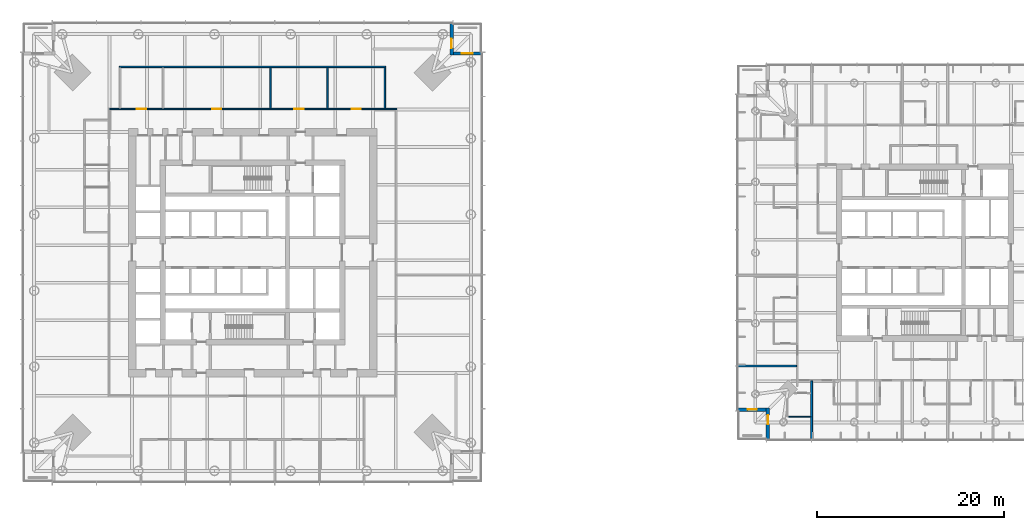
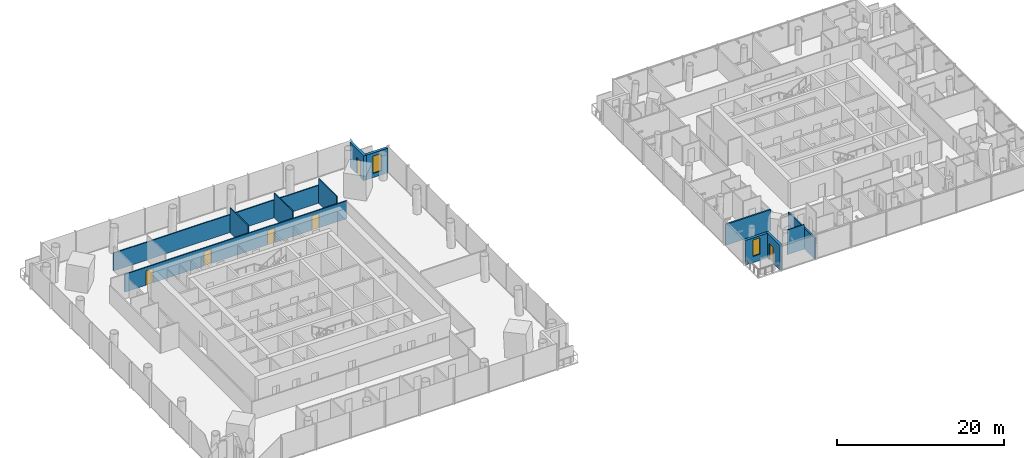
# One storey, part 13 of 22: 12 walls, 6 doors, 2 windows, 8 openings.
"""IFC4 building model written with IfcOpenShell, lengths in metres."""

from ifc_helpers import new_model, si_unit, direction, frame, frame_2d, origin, place, context, subcontext, project, spatial, rectangle, extrude, material, layer, layer_set, type_object, element, fill, save


model = new_model("IFC4")

# Units and contexts
model_context = context("Model", 3, precision=1e-05, world=origin(), true_north=direction((0.0, 1.0)))
body_context = subcontext(model_context, "Body", "Model", "MODEL_VIEW")
ifc_project = project(units=[si_unit("LENGTHUNIT", "METRE"), si_unit("AREAUNIT", "SQUARE_METRE"), si_unit("VOLUMEUNIT", "CUBIC_METRE"), si_unit("PLANEANGLEUNIT", "RADIAN"), si_unit("MASSUNIT", "GRAM", prefix="KILO")], contexts=[model_context])

# Site, building, storey
site_placement = place(None, origin())
site = spatial("IfcSite", under=ifc_project, at=site_placement, CompositionType="ELEMENT")
building_placement = place(site_placement, origin())
building = spatial("IfcBuilding", under=site, at=building_placement, Name="Ostroluk Exchange", CompositionType="ELEMENT")
storey_placement = place(building_placement, frame((0.0, 0.0, 40.0)))
storey = spatial("IfcBuildingStorey", under=building, at=storey_placement, Name="L09", CompositionType="ELEMENT", Elevation=40.0)

# Wall, opening, door
ifc_material_1 = material(Name="Limestone", Category="masonry")
ifc_layer_1 = layer(ifc_material_1, 0.35009765625)
ifc_layer_set_1 = layer_set([ifc_layer_1], Name="Limestone facade wall 350")
wall_type_1 = type_object("IfcWallType", Name="Limestone facade wall 350", PredefinedType="SOLIDWALL", material=ifc_layer_set_1)
wall_1_placement = place(storey_placement, frame((66.324951171875, 70.5, 0.0), z_axis=(0.0, 0.0, 1.0), x_axis=(0.0, -1.0, 0.0)))
wall_1 = element("IfcWall", 1, at=wall_1_placement, inside=storey, type_object=wall_type_1, Name="Office tower NE corner wall L09 a", PredefinedType="SOLIDWALL", context=body_context, shape_type="SweptSolid", body=[
    extrude(rectangle(XDim=3.35009765625, YDim=0.35009765625, at=frame_2d((1.675048828125, 0.0))), origin(), (0.0, 0.0, 1.0), 3.6201171875),
])
opening_1_placement = place(wall_1_placement, frame((1.60009765625, 0.0, 0.0)))
opening_1 = element("IfcOpeningElement", 2, at=opening_1_placement, cuts=wall_1, Name="Opening D-B1", PredefinedType="OPENING", context=body_context, shape_type="SweptSolid", body=[
    extrude(rectangle(XDim=1.0, YDim=2.39990234375, at=frame_2d((0.5, 1.199951171875))), frame((0.0, 0.18505859375, 0.0), z_axis=(0.0, -1.0, 0.0), x_axis=(1.0, 0.0, 0.0)), (0.0, 0.0, 1.0), 0.3701171875),
])
ifc_material_2 = material(Name="Bronze framed glazed door", Category="aluminium")
door_type_1 = type_object("IfcDoorType", Name="Balcony door 1000 x 2400", OperationType="SINGLE_SWING_LEFT", PredefinedType="DOOR", material=ifc_material_2)
door_1_placement = place(opening_1_placement, origin())
door_1 = element("IfcDoor", 3, at=door_1_placement, inside=storey, type_object=door_type_1, Name="Office tower NE balcony door L09", OperationType="SINGLE_SWING_RIGHT", OverallHeight=2.39990234375, OverallWidth=1.0, PredefinedType="DOOR", context=body_context, shape_type="SweptSolid", body=[
    extrude(rectangle(XDim=1.0, YDim=2.39990234375, at=frame_2d((0.5, 1.199951171875))), frame((0.0, 0.02490234375, 0.0), z_axis=(0.0, -1.0, 0.0), x_axis=(1.0, 0.0, 0.0)), (0.0, 0.0, 1.0), 0.050048828125),
])
fill(opening_1, door_1)

# Wall, opening, window
wall_2_placement = place(storey_placement, frame((66.5, 67.324951171875, 0.0), z_axis=(0.0, 0.0, 1.0), x_axis=(1.0, 0.0, 0.0)))
wall_2 = element("IfcWall", 4, at=wall_2_placement, inside=storey, type_object=wall_type_1, Name="Office tower NE corner wall L09 b", PredefinedType="SOLIDWALL", context=body_context, shape_type="SweptSolid", body=[
    extrude(rectangle(XDim=3.0, YDim=0.35009765625, at=frame_2d((1.5, 0.0))), origin(), (0.0, 0.0, 1.0), 3.6201171875),
])
opening_2_placement = place(wall_2_placement, frame((0.89990234375, 0.0, 0.60009765625)))
opening_2 = element("IfcOpeningElement", 5, at=opening_2_placement, cuts=wall_2, Name="Opening WN-L1", PredefinedType="OPENING", context=body_context, shape_type="SweptSolid", body=[
    extrude(rectangle(XDim=1.199951171875, YDim=2.550048828125, at=frame_2d((0.60009765625, 1.27490234375))), frame((0.0, 0.18505859375, 0.0), z_axis=(0.0, -1.0, 0.0), x_axis=(1.0, 0.0, 0.0)), (0.0, 0.0, 1.0), 0.3701171875),
])
ifc_material_3 = material(Name="Laminated clear glass", Category="glass")
window_type_1 = type_object("IfcWindowType", Name="Lancet window 1200 x 2550", PartitioningType="SINGLE_PANEL", PredefinedType="WINDOW", material=ifc_material_3)
window_1_placement = place(opening_2_placement, origin())
window_1 = element("IfcWindow", 6, at=window_1_placement, inside=storey, type_object=window_type_1, Name="Office tower NE lancet window L09", OverallHeight=2.550048828125, OverallWidth=1.199951171875, PartitioningType="SINGLE_PANEL", PredefinedType="WINDOW", context=body_context, shape_type="SweptSolid", body=[
    extrude(rectangle(XDim=1.199951171875, YDim=2.550048828125, at=frame_2d((0.60009765625, 1.27490234375))), frame((0.0, 0.030029296875, 0.0), z_axis=(0.0, -1.0, 0.0), x_axis=(1.0, 0.0, 0.0)), (0.0, 0.0, 1.0), 0.06005859375),
])
fill(opening_2, window_1)

# Wall, opening, door
wall_3_placement = place(storey_placement, frame((100.175048828125, 26.0, 0.0), z_axis=(0.0, 0.0, 1.0), x_axis=(0.0, 1.0, 0.0)))
wall_3 = element("IfcWall", 7, at=wall_3_placement, inside=storey, type_object=wall_type_1, Name="Hotel tower SW corner wall L09 a", PredefinedType="SOLIDWALL", context=body_context, shape_type="SweptSolid", body=[
    extrude(rectangle(XDim=3.35009765625, YDim=0.35009765625, at=frame_2d((1.675048828125, 0.0))), origin(), (0.0, 0.0, 1.0), 3.60009765625),
])
opening_3_placement = place(wall_3_placement, frame((1.60009765625, 0.0, 0.0)))
opening_3 = element("IfcOpeningElement", 8, at=opening_3_placement, cuts=wall_3, Name="Opening D-B1", PredefinedType="OPENING", context=body_context, shape_type="SweptSolid", body=[
    extrude(rectangle(XDim=1.0, YDim=2.39990234375, at=frame_2d((0.5, 1.199951171875))), frame((0.0, 0.18505859375, 0.0), z_axis=(0.0, -1.0, 0.0), x_axis=(1.0, 0.0, 0.0)), (0.0, 0.0, 1.0), 0.3701171875),
])
door_2_placement = place(opening_3_placement, origin())
door_2 = element("IfcDoor", 9, at=door_2_placement, inside=storey, type_object=door_type_1, Name="Hotel tower SW balcony door L09", OperationType="SINGLE_SWING_RIGHT", OverallHeight=2.39990234375, OverallWidth=1.0, PredefinedType="DOOR", context=body_context, shape_type="SweptSolid", body=[
    extrude(rectangle(XDim=1.0, YDim=2.39990234375, at=frame_2d((0.5, 1.199951171875))), frame((0.0, 0.02490234375, 0.0), z_axis=(0.0, -1.0, 0.0), x_axis=(1.0, 0.0, 0.0)), (0.0, 0.0, 1.0), 0.050048828125),
])
fill(opening_3, door_2)

# Wall, opening, window
wall_4_placement = place(storey_placement, frame((100.0, 29.175048828125, 0.0), z_axis=(0.0, 0.0, 1.0), x_axis=(-1.0, 0.0, 0.0)))
wall_4 = element("IfcWall", 10, at=wall_4_placement, inside=storey, type_object=wall_type_1, Name="Hotel tower SW corner wall L09 b", PredefinedType="SOLIDWALL", context=body_context, shape_type="SweptSolid", body=[
    extrude(rectangle(XDim=3.0, YDim=0.35009765625, at=frame_2d((1.5, 0.0))), origin(), (0.0, 0.0, 1.0), 3.60009765625),
])
opening_4_placement = place(wall_4_placement, frame((1.0, 0.0, 0.89990234375)))
opening_4 = element("IfcOpeningElement", 11, at=opening_4_placement, cuts=wall_4, Name="Opening WN-L3", PredefinedType="OPENING", context=body_context, shape_type="SweptSolid", body=[
    extrude(rectangle(XDim=1.0, YDim=2.39990234375, at=frame_2d((0.5, 1.199951171875))), frame((0.0, 0.18505859375, 0.0), z_axis=(0.0, -1.0, 0.0), x_axis=(1.0, 0.0, 0.0)), (0.0, 0.0, 1.0), 0.3701171875),
])
ifc_material_4 = material(Name="Laminated clear glass", Category="glass")
window_type_2 = type_object("IfcWindowType", Name="Hotel lancet window 1000 x 2400", PartitioningType="SINGLE_PANEL", PredefinedType="WINDOW", material=ifc_material_4)
window_2_placement = place(opening_4_placement, origin())
window_2 = element("IfcWindow", 12, at=window_2_placement, inside=storey, type_object=window_type_2, Name="Hotel tower SW lancet window L09", OverallHeight=2.39990234375, OverallWidth=1.0, PartitioningType="SINGLE_PANEL", PredefinedType="WINDOW", context=body_context, shape_type="SweptSolid", body=[
    extrude(rectangle(XDim=1.0, YDim=2.39990234375, at=frame_2d((0.5, 1.199951171875))), frame((0.0, 0.030029296875, 0.0), z_axis=(0.0, -1.0, 0.0), x_axis=(1.0, 0.0, 0.0)), (0.0, 0.0, 1.0), 0.06005859375),
])
fill(opening_4, window_2)

# Walls
ifc_material_5 = material(Name="Gypsum plasterboard partition, moisture resistant", Category="gypsum")
ifc_layer_2 = layer(ifc_material_5, 0.1201171875)
ifc_layer_set_2 = layer_set([ifc_layer_2], Name="Plasterboard en-suite wall 120")
wall_type_2 = type_object("IfcWallType", Name="Plasterboard en-suite wall 120", PredefinedType="PARTITIONING", material=ifc_layer_set_2)
wall_5_placement = place(storey_placement, frame((104.757080078125, 28.429931640625, 0.0), z_axis=(0.0, 0.0, 1.0), x_axis=(-1.0, 0.0, 0.0)))
element("IfcWall", 13, at=wall_5_placement, inside=storey, type_object=wall_type_2, Name="En-suite wall", PredefinedType="PARTITIONING", context=body_context, shape_type="SweptSolid", body=[
    extrude(rectangle(XDim=2.367919921875, YDim=0.1201171875, at=frame_2d((1.18408203125, 0.0))), origin(), (0.0, 0.0, 1.0), 3.60009765625),
])
ifc_material_6 = material(Name="Gypsum plasterboard partition", Category="gypsum")
ifc_layer_3 = layer(ifc_material_6, 0.14990234375)
ifc_layer_set_3 = layer_set([ifc_layer_3], Name="Plasterboard partition 150")
wall_type_3 = type_object("IfcWallType", Name="Plasterboard partition 150", PredefinedType="PARTITIONING", material=ifc_layer_set_3)
for number, where, z_axis, x_axis, name in (
    (14, (59.175048828125, 61.449951171875, 0.0), (0.0, 0.0, 1.0), (0.0, 1.0, 0.0), "Partition"),
    (15, (53.045166015625, 61.449951171875, 0.0), (0.0, 0.0, 1.0), (0.0, 1.0, 0.0), "Partition"),
    (16, (46.91552734375, 61.449951171875, 0.0), (0.0, 0.0, 1.0), (0.0, 1.0, 0.0), "Partition"),
):
    element("IfcWall", number, at=place(storey_placement, frame(where, z_axis=z_axis, x_axis=x_axis)), inside=storey, type_object=wall_type_3, Name=name, PredefinedType="PARTITIONING", context=body_context, shape_type="SweptSolid", body=[
        extrude(rectangle(XDim=4.35009765625, YDim=0.14990234375, at=frame_2d((2.175048828125, 0.0))), origin(), (0.0, 0.0, 1.0), 3.6201171875),
    ])
wall_6_placement = place(storey_placement, frame((59.25, 65.875, 0.0), z_axis=(0.0, 0.0, 1.0), x_axis=(-1.0, 0.0, 0.0)))
element("IfcWall", 17, at=wall_6_placement, inside=storey, type_object=wall_type_3, Name="Partition", PredefinedType="PARTITIONING", context=body_context, shape_type="SweptSolid", body=[
    extrude(rectangle(XDim=28.5, YDim=0.14990234375, at=frame_2d((14.25, 0.0))), origin(), (0.0, 0.0, 1.0), 2.612060546875),
])

# Wall, openings, doors
wall_7_placement = place(storey_placement, frame((60.449951171875, 61.375, 0.0), z_axis=(0.0, 0.0, 1.0), x_axis=(-1.0, 0.0, 0.0)))
wall_7 = element("IfcWall", 18, at=wall_7_placement, inside=storey, type_object=wall_type_3, Name="Corridor wall", PredefinedType="PARTITIONING", context=body_context, shape_type="SweptSolid", body=[
    extrude(rectangle(XDim=30.75, YDim=0.14990234375, at=frame_2d((15.375, 0.0))), origin(), (0.0, 0.0, 1.0), 2.612060546875),
])
opening_5_placement = place(wall_7_placement, frame((3.83984375, 0.0, 0.0)))
opening_5 = element("IfcOpeningElement", 19, at=opening_5_placement, cuts=wall_7, Name="Opening D-03", PredefinedType="OPENING", context=body_context, shape_type="SweptSolid", body=[
    extrude(rectangle(XDim=1.0, YDim=2.10009765625, at=frame_2d((0.5, 1.050048828125))), frame((0.0, 0.0849609375, 0.0), z_axis=(0.0, -1.0, 0.0), x_axis=(1.0, 0.0, 0.0)), (0.0, 0.0, 1.0), 0.169921875),
])
opening_6_placement = place(wall_7_placement, frame((9.969482421875, 0.0, 0.0)))
opening_6 = element("IfcOpeningElement", 20, at=opening_6_placement, cuts=wall_7, Name="Opening D-03", PredefinedType="OPENING", context=body_context, shape_type="SweptSolid", body=[
    extrude(rectangle(XDim=1.0, YDim=2.10009765625, at=frame_2d((0.5, 1.050048828125))), frame((0.0, 0.0849609375, 0.0), z_axis=(0.0, -1.0, 0.0), x_axis=(1.0, 0.0, 0.0)), (0.0, 0.0, 1.0), 0.169921875),
])
opening_7_placement = place(wall_7_placement, frame((18.781005859375, 0.0, 0.0)))
opening_7 = element("IfcOpeningElement", 21, at=opening_7_placement, cuts=wall_7, Name="Opening D-03", PredefinedType="OPENING", context=body_context, shape_type="SweptSolid", body=[
    extrude(rectangle(XDim=1.0, YDim=2.10009765625, at=frame_2d((0.5, 1.050048828125))), frame((0.0, 0.0849609375, 0.0), z_axis=(0.0, -1.0, 0.0), x_axis=(1.0, 0.0, 0.0)), (0.0, 0.0, 1.0), 0.169921875),
])
opening_8_placement = place(wall_7_placement, frame((26.826416015625, 0.0, 0.0)))
opening_8 = element("IfcOpeningElement", 22, at=opening_8_placement, cuts=wall_7, Name="Opening D-03", PredefinedType="OPENING", context=body_context, shape_type="SweptSolid", body=[
    extrude(rectangle(XDim=1.0, YDim=2.10009765625, at=frame_2d((0.5, 1.050048828125))), frame((0.0, 0.0849609375, 0.0), z_axis=(0.0, -1.0, 0.0), x_axis=(1.0, 0.0, 0.0)), (0.0, 0.0, 1.0), 0.169921875),
])
ifc_material_7 = material(Name="Timber", Category="wood")
door_type_2 = type_object("IfcDoorType", Name="Internal door 1000 x 2100", OperationType="SINGLE_SWING_LEFT", PredefinedType="DOOR", material=ifc_material_7)
door_3_placement = place(opening_5_placement, origin())
door_3 = element("IfcDoor", 23, at=door_3_placement, inside=storey, type_object=door_type_2, Name="Meeting room door", OperationType="SINGLE_SWING_LEFT", OverallHeight=2.10009765625, OverallWidth=1.0, PredefinedType="DOOR", context=body_context, shape_type="SweptSolid", body=[
    extrude(rectangle(XDim=1.0, YDim=2.10009765625, at=frame_2d((0.5, 1.050048828125))), frame((0.0, 0.02490234375, 0.0), z_axis=(0.0, -1.0, 0.0), x_axis=(1.0, 0.0, 0.0)), (0.0, 0.0, 1.0), 0.050048828125),
])
fill(opening_5, door_3)
door_4_placement = place(opening_6_placement, origin())
door_4 = element("IfcDoor", 24, at=door_4_placement, inside=storey, type_object=door_type_2, Name="Meeting room door", OperationType="SINGLE_SWING_LEFT", OverallHeight=2.10009765625, OverallWidth=1.0, PredefinedType="DOOR", context=body_context, shape_type="SweptSolid", body=[
    extrude(rectangle(XDim=1.0, YDim=2.10009765625, at=frame_2d((0.5, 1.050048828125))), frame((0.0, 0.02490234375, 0.0), z_axis=(0.0, -1.0, 0.0), x_axis=(1.0, 0.0, 0.0)), (0.0, 0.0, 1.0), 0.050048828125),
])
fill(opening_6, door_4)
door_5_placement = place(opening_7_placement, origin())
door_5 = element("IfcDoor", 25, at=door_5_placement, inside=storey, type_object=door_type_2, Name="Break-out kitchen door", OperationType="SINGLE_SWING_RIGHT", OverallHeight=2.10009765625, OverallWidth=1.0, PredefinedType="DOOR", context=body_context, shape_type="SweptSolid", body=[
    extrude(rectangle(XDim=1.0, YDim=2.10009765625, at=frame_2d((0.5, 1.050048828125))), frame((0.0, 0.02490234375, 0.0), z_axis=(0.0, -1.0, 0.0), x_axis=(1.0, 0.0, 0.0)), (0.0, 0.0, 1.0), 0.050048828125),
])
fill(opening_7, door_5)
door_6_placement = place(opening_8_placement, origin())
door_6 = element("IfcDoor", 26, at=door_6_placement, inside=storey, type_object=door_type_2, Name="Focus room door", OperationType="SINGLE_SWING_RIGHT", OverallHeight=2.10009765625, OverallWidth=1.0, PredefinedType="DOOR", context=body_context, shape_type="SweptSolid", body=[
    extrude(rectangle(XDim=1.0, YDim=2.10009765625, at=frame_2d((0.5, 1.050048828125))), frame((0.0, 0.02490234375, 0.0), z_axis=(0.0, -1.0, 0.0), x_axis=(1.0, 0.0, 0.0)), (0.0, 0.0, 1.0), 0.050048828125),
])
fill(opening_8, door_6)

# Walls
ifc_material_8 = material(Name="Gypsum plasterboard partition", Category="gypsum")
ifc_layer_4 = layer(ifc_material_8, 0.199951171875)
ifc_layer_set_4 = layer_set([ifc_layer_4], Name="Plasterboard party wall 200")
wall_type_4 = type_object("IfcWallType", Name="Plasterboard party wall 200", PredefinedType="PARTITIONING", material=ifc_layer_set_4)
for number, where, z_axis, x_axis, name in (
    (27, (103.25, 33.857177734375, 0.0), (0.0, 0.0, 1.0), (-1.0, 0.0, 0.0), "Party wall"),
    (28, (104.857177734375, 32.25, 0.0), (0.0, 0.0, 1.0), (0.0, -1.0, 0.0), "Party wall"),
):
    element("IfcWall", number, at=place(storey_placement, frame(where, z_axis=z_axis, x_axis=x_axis)), inside=storey, type_object=wall_type_4, Name=name, PredefinedType="PARTITIONING", context=body_context, shape_type="SweptSolid", body=[
        extrude(rectangle(XDim=6.2900390625, YDim=0.199951171875, at=frame_2d((3.14501953125, 0.0))), origin(), (0.0, 0.0, 1.0), 3.050048828125),
    ])

save(model, "model.ifc")
